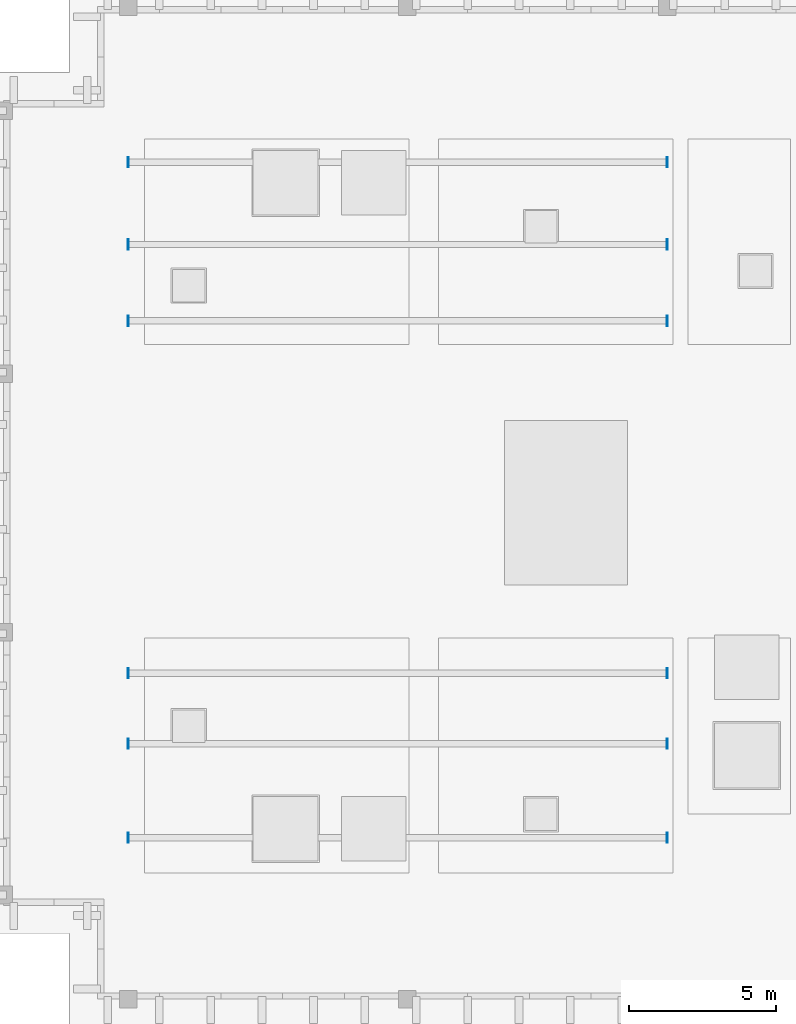
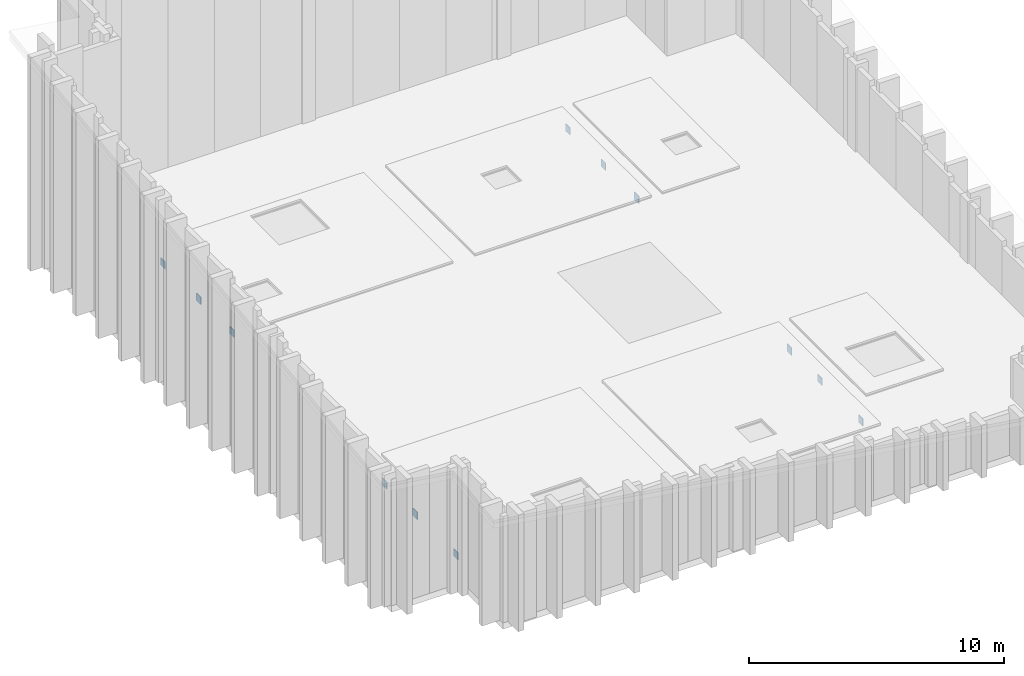
# One storey, part 2 of 5: 12 plates.
"""IFC4 building model written with IfcOpenShell, lengths in metres."""

from ifc_helpers import new_model, si_unit, direction, frame, origin, origin_2d, place, context, subcontext, project, spatial, rectangle, extrude, material, layer, layer_set, type_object, element, save


model = new_model("IFC4")

# Units and contexts
model_context = context("Model", 3, precision=1e-05, world=origin(), true_north=direction((0.0, 1.0)))
body_context = subcontext(model_context, "Body", "Model", "MODEL_VIEW")
ifc_project = project(units=[si_unit("LENGTHUNIT", "METRE"), si_unit("AREAUNIT", "SQUARE_METRE"), si_unit("VOLUMEUNIT", "CUBIC_METRE"), si_unit("PLANEANGLEUNIT", "RADIAN"), si_unit("MASSUNIT", "GRAM", prefix="KILO")], contexts=[model_context])

# Site, building, storey
site_placement = place(None, origin())
site = spatial("IfcSite", under=ifc_project, at=site_placement, CompositionType="ELEMENT")
building_placement = place(site_placement, origin())
building = spatial("IfcBuilding", under=site, at=building_placement, Name="Kundavana Baori Tower", CompositionType="ELEMENT")
storey_placement = place(building_placement, frame((0.0, 0.0, 368.39990234375)))
storey = spatial("IfcBuildingStorey", under=building, at=storey_placement, Name="L89", CompositionType="ELEMENT", Elevation=368.39990234375)

# Plates
ifc_material = material(Name="Structural Steel S355JR", Category="steel")
ifc_layer = layer(ifc_material, 0.031982421875, Name="PLT-GUSSET-32")
ifc_layer_set = layer_set([ifc_layer], Name="Structural Steel S355JR")
plate_type = type_object("IfcPlateType", Name="PLT-GUSSET-32", PredefinedType="USERDEFINED", material=ifc_layer_set)
for number, where, z_axis, x_axis, name in (
    (1, (15.449951171875, 17.199951171875, -0.5849609375), (0.0, 0.0, 1.0), (1.0, 0.0, 0.0), "L89 Roof Purlin End Cleat Plate 1W"),
    (2, (33.800048828125, 17.199951171875, -0.5849609375), (0.0, 0.0, 1.0), (1.0, 0.0, 0.0), "L89 Roof Purlin End Cleat Plate 1E"),
    (3, (15.449951171875, 20.39990234375, -0.5849609375), (0.0, 0.0, 1.0), (1.0, 0.0, 0.0), "L89 Roof Purlin End Cleat Plate 2W"),
    (4, (33.800048828125, 20.39990234375, -0.5849609375), (0.0, 0.0, 1.0), (1.0, 0.0, 0.0), "L89 Roof Purlin End Cleat Plate 2E"),
    (5, (15.449951171875, 22.800048828125, -0.5849609375), (0.0, 0.0, 1.0), (1.0, 0.0, 0.0), "L89 Roof Purlin End Cleat Plate 3W"),
    (6, (33.800048828125, 22.800048828125, -0.5849609375), (0.0, 0.0, 1.0), (1.0, 0.0, 0.0), "L89 Roof Purlin End Cleat Plate 3E"),
    (7, (15.449951171875, 34.800048828125, -0.5849609375), (0.0, 0.0, 1.0), (1.0, 0.0, 0.0), "L89 Roof Purlin End Cleat Plate 4W"),
    (8, (33.800048828125, 34.800048828125, -0.5849609375), (0.0, 0.0, 1.0), (1.0, 0.0, 0.0), "L89 Roof Purlin End Cleat Plate 4E"),
    (9, (15.449951171875, 37.39990234375, -0.5849609375), (0.0, 0.0, 1.0), (1.0, 0.0, 0.0), "L89 Roof Purlin End Cleat Plate 5W"),
    (10, (33.800048828125, 37.39990234375, -0.5849609375), (0.0, 0.0, 1.0), (1.0, 0.0, 0.0), "L89 Roof Purlin End Cleat Plate 5E"),
    (11, (15.449951171875, 40.199951171875, -0.5849609375), (0.0, 0.0, 1.0), (1.0, 0.0, 0.0), "L89 Roof Purlin End Cleat Plate 6W"),
    (12, (33.800048828125, 40.199951171875, -0.5849609375), (0.0, 0.0, 1.0), (1.0, 0.0, 0.0), "L89 Roof Purlin End Cleat Plate 6E"),
):
    element("IfcPlate", number, at=place(storey_placement, frame(where, z_axis=z_axis, x_axis=x_axis)), inside=storey, type_object=plate_type, Name=name, ObjectType="GUSSET PLATE", PredefinedType="USERDEFINED", context=body_context, shape_type="SweptSolid", body=[
        extrude(rectangle(XDim=0.031982421875, YDim=0.35009765625, at=origin_2d()), origin(), (0.0, 0.0, 1.0), 0.35009765625),
    ])

save(model, "model.ifc")
